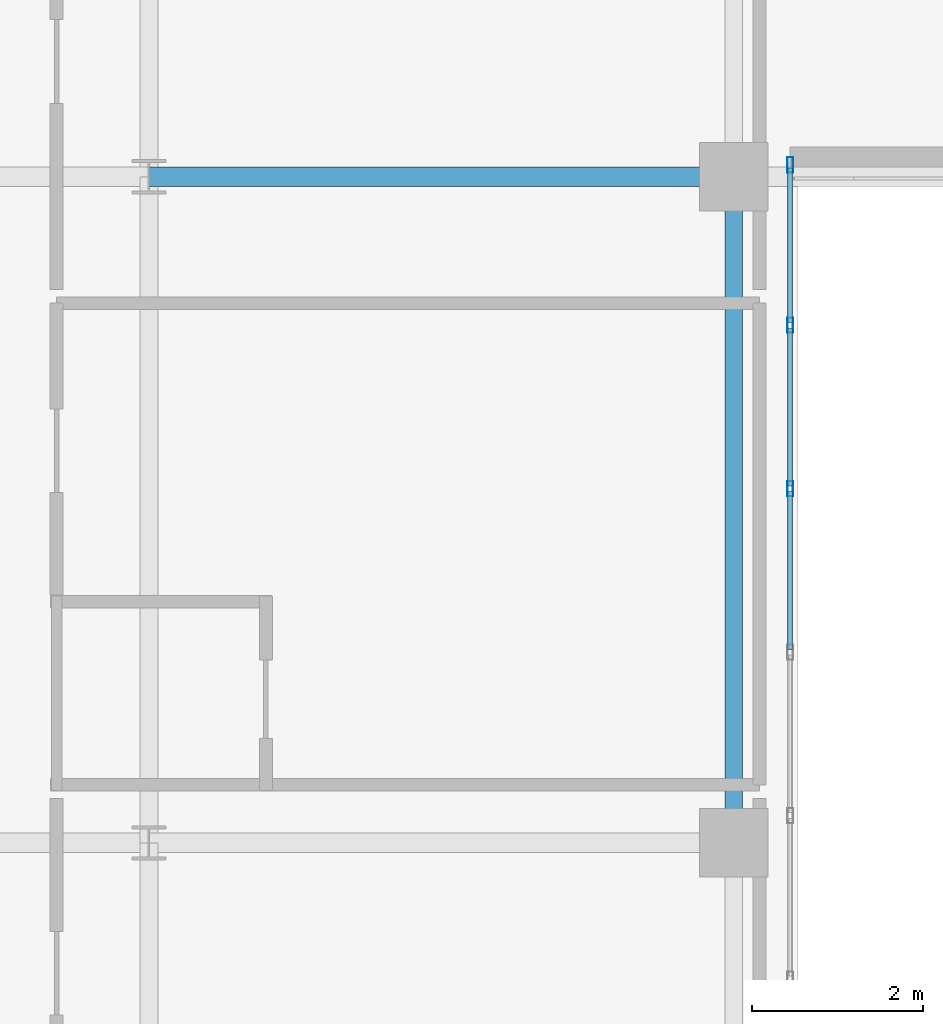
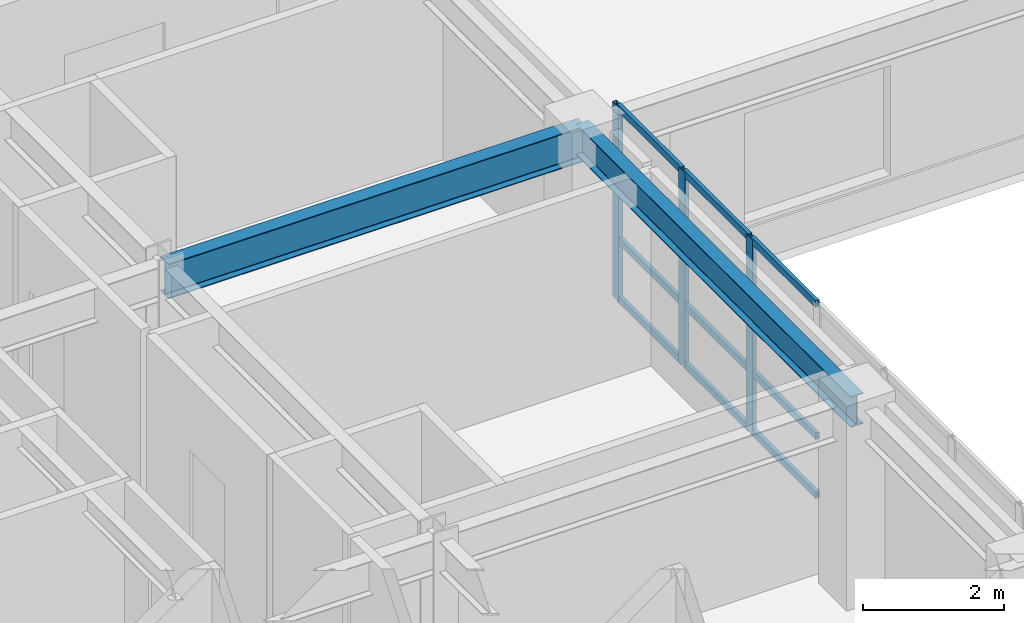
# One storey, part 5 of 20: 12 members, 2 beams, 1 element without a shape of its own.
"""IFC4 building model written with IfcOpenShell, lengths in metres."""

from ifc_helpers import new_model, si_unit, direction, frame, origin, origin_2d, place, context, subcontext, project, spatial, hollow_rectangle, i_section, extrude, source, transform, mapped, material, layer, layer_set, material_profile, profile_set, type_object, type_shapes, element, aggregate, save


model = new_model("IFC4")

# Units and contexts
model_context = context("Model", 3, precision=1e-05, world=origin(), true_north=direction((0.0, 1.0)))
body_context = subcontext(model_context, "Body", "Model", "MODEL_VIEW")
ifc_project = project(units=[si_unit("LENGTHUNIT", "METRE"), si_unit("AREAUNIT", "SQUARE_METRE"), si_unit("VOLUMEUNIT", "CUBIC_METRE"), si_unit("PLANEANGLEUNIT", "RADIAN"), si_unit("MASSUNIT", "GRAM", prefix="KILO")], contexts=[model_context])

# Site, building, storey
site_placement = place(None, origin())
site = spatial("IfcSite", under=ifc_project, at=site_placement, CompositionType="ELEMENT")
building_placement = place(site_placement, origin())
building = spatial("IfcBuilding", under=site, at=building_placement, Name="Tolvann Quenvar Hotel", CompositionType="ELEMENT")
storey_placement = place(building_placement, frame((0.0, 0.0, 191.10009765625)))
storey = spatial("IfcBuildingStorey", under=building, at=storey_placement, Name="L50", CompositionType="ELEMENT", Elevation=191.10009765625)

# Beams
ifc_material_1 = material(Name="Steel Grade 350", Category="steel")
ifc_material_profile_1 = material_profile(ifc_material_1, i_section(OverallWidth=0.208984375, OverallDepth=0.532958984375, WebThickness=0.01025390625, FlangeThickness=0.015625, FilletRadius=0.013916015625, at=origin_2d()), Name="530UB92")
ifc_profile_set_1 = profile_set([ifc_material_profile_1], Name="Steel Grade 350")
beam_type_1 = type_object("IfcBeamType", Name="BM_GIRD_530UB92", PredefinedType="BEAM", material=ifc_profile_set_1)
shared_shape_1 = source(origin(), body_context, "Body", "SweptSolid", [
    extrude(i_section(OverallWidth=0.208984375, OverallDepth=0.532958984375, WebThickness=0.01025390625, FlangeThickness=0.015625, FilletRadius=0.013916015625, at=origin_2d()), origin(), (0.0, 0.0, 1.0), 7.800048828125),
])
type_shapes(beam_type_1, [shared_shape_1])
beam_1_placement = place(storey_placement, frame((22.050048828125, 8.199951171875, 3.103515625), z_axis=(0.0, 1.0, 0.0), x_axis=(-1.0, 0.0, 0.0)))
element("IfcBeam", 1, at=beam_1_placement, inside=storey, type_object=beam_type_1, Name="BM-L50-NS-E3-E4", PredefinedType="BEAM", context=body_context, shape_type="MappedRepresentation", body=[
    mapped(shared_shape_1, transform((0.0, 0.0, 0.0), x_axis=(1.0, 0.0, 0.0), y_axis=(0.0, 1.0, 0.0), z_axis=(0.0, 0.0, 1.0), scale=1.0)),
])
ifc_material_profile_2 = material_profile(ifc_material_1, i_section(OverallWidth=0.22802734375, OverallDepth=0.60205078125, WebThickness=0.010498046875, FlangeThickness=0.014892578125, FilletRadius=0.013916015625, at=origin_2d()), Name="610UB101")
ifc_profile_set_2 = profile_set([ifc_material_profile_2], Name="Steel Grade 350")
beam_type_2 = type_object("IfcBeamType", Name="BM_GIRD_610UB101", PredefinedType="BEAM", material=ifc_profile_set_2)
shared_shape_2 = source(origin(), body_context, "Body", "SweptSolid", [
    extrude(i_section(OverallWidth=0.22802734375, OverallDepth=0.60205078125, WebThickness=0.010498046875, FlangeThickness=0.014892578125, FilletRadius=0.013916015625, at=origin_2d()), origin(), (0.0, 0.0, 1.0), 6.85009765625),
])
type_shapes(beam_type_2, [shared_shape_2])
beam_2_placement = place(storey_placement, frame((15.199951171875, 16.0, 3.06884765625), z_axis=(1.0, 0.0, 0.0), x_axis=(0.0, 1.0, 0.0)))
element("IfcBeam", 2, at=beam_2_placement, inside=storey, type_object=beam_type_2, Name="BM-L50-EW-4-D4-E4", PredefinedType="BEAM", context=body_context, shape_type="MappedRepresentation", body=[
    mapped(shared_shape_2, transform((0.0, 0.0, 0.0), x_axis=(1.0, 0.0, 0.0), y_axis=(0.0, 1.0, 0.0), z_axis=(0.0, 0.0, 1.0), scale=1.0)),
])

# Curtain wall, members
ifc_material_2 = material(Name="Thermally broken anodised architectural aluminium 6063-T6 and laminated low-E glass", Category="aluminium")
ifc_layer = layer(ifc_material_2, 0.179931640625)
ifc_layer_set = layer_set([ifc_layer], Name="Thermally broken anodised architectural aluminium 6063-T6 and laminated low-E glass")
curtain_wall_type = type_object("IfcCurtainWallType", Name="CW_SYS_SLOT_03", PredefinedType="USERDEFINED", material=ifc_layer_set)
curtain_wall_placement = place(storey_placement, origin())
curtain_wall = element("IfcCurtainWall", 3, at=curtain_wall_placement, inside=storey, type_object=curtain_wall_type, Name="Curtain Wall CW-SLOT-03 (CWR-L50-E05)", ObjectType="UNITISED CURTAIN WALL", PredefinedType="USERDEFINED")
ifc_material_3 = material(Name="Anodised architectural aluminium 6063-T6 framing", Category="aluminium")
ifc_material_profile_3 = material_profile(ifc_material_3, hollow_rectangle(XDim=0.070068359375, YDim=0.179931640625, WallThickness=0.00390625, at=origin_2d()), Name="180x70x4RHS")
ifc_profile_set_3 = profile_set([ifc_material_profile_3], Name="Anodised architectural aluminium 6063-T6 framing")
member_type_1 = type_object("IfcMemberType", Name="CW_MULL_180x70", PredefinedType="MULLION", material=ifc_profile_set_3)
shared_shape_3 = source(origin(), body_context, "Body", "SweptSolid", [
    extrude(hollow_rectangle(XDim=0.070068359375, YDim=0.179931640625, WallThickness=0.00390625, at=origin_2d()), origin(), (0.0, 0.0, 1.0), 3.369873046875),
])
type_shapes(member_type_1, [shared_shape_3])
member_1_placement = place(storey_placement, frame((22.7099609375, 12.346435546875, 0.0), z_axis=(0.0, 0.0, 1.0), x_axis=(-1.0, 0.0, 0.0)))
member_1 = element("IfcMember", 4, at=member_1_placement, type_object=member_type_1, Name="CW-SLOT-03 mullion 6", PredefinedType="MULLION", context=body_context, shape_type="MappedRepresentation", body=[
    mapped(shared_shape_3, transform((0.0, 0.0, 0.0), x_axis=(1.0, 0.0, 0.0), y_axis=(0.0, 1.0, 0.0), z_axis=(0.0, 0.0, 1.0), scale=1.0)),
])
member_2_placement = place(storey_placement, frame((22.7099609375, 14.2607421875, 0.0), z_axis=(0.0, 0.0, 1.0), x_axis=(-1.0, 0.0, 0.0)))
member_2 = element("IfcMember", 5, at=member_2_placement, type_object=member_type_1, Name="CW-SLOT-03 mullion 7", PredefinedType="MULLION", context=body_context, shape_type="MappedRepresentation", body=[
    mapped(shared_shape_3, transform((0.0, 0.0, 0.0), x_axis=(1.0, 0.0, 0.0), y_axis=(0.0, 1.0, 0.0), z_axis=(0.0, 0.0, 1.0), scale=1.0)),
])
member_3_placement = place(storey_placement, frame((22.7099609375, 16.139892578125, 0.0), z_axis=(0.0, 0.0, 1.0), x_axis=(-1.0, 0.0, 0.0)))
member_3 = element("IfcMember", 6, at=member_3_placement, type_object=member_type_1, Name="CW-SLOT-03 mullion 8", PredefinedType="MULLION", context=body_context, shape_type="MappedRepresentation", body=[
    mapped(shared_shape_3, transform((0.0, 0.0, 0.0), x_axis=(1.0, 0.0, 0.0), y_axis=(0.0, 1.0, 0.0), z_axis=(0.0, 0.0, 1.0), scale=1.0)),
])
ifc_material_profile_4 = material_profile(ifc_material_3, hollow_rectangle(XDim=0.06005859375, YDim=0.1201171875, WallThickness=0.00341796875, at=origin_2d()), Name="120x60x3.5RHS")
ifc_profile_set_4 = profile_set([ifc_material_profile_4], Name="Anodised architectural aluminium 6063-T6 framing")
member_type_2 = type_object("IfcMemberType", Name="CW_TRAN_120x60", PredefinedType="USERDEFINED", material=ifc_profile_set_4)
shared_shape_4 = source(origin(), body_context, "Body", "SweptSolid", [
    extrude(hollow_rectangle(XDim=0.06005859375, YDim=0.1201171875, WallThickness=0.00341796875, at=origin_2d()), origin(), (0.0, 0.0, 1.0), 1.809326171875),
])
member_4_placement = place(storey_placement, frame((22.7099609375, 14.295654296875, 0.02978515625), z_axis=(0.0, 1.0, 0.0), x_axis=(-1.0, 0.0, 0.0)))
member_4 = element("IfcMember", 7, at=member_4_placement, type_object=member_type_2, Name="CW-SLOT-03 transom 7.1", ObjectType="TRANSOM", PredefinedType="USERDEFINED", context=body_context, shape_type="MappedRepresentation", body=[
    mapped(shared_shape_4, transform((0.0, 0.0, 0.0), x_axis=(1.0, 0.0, 0.0), y_axis=(0.0, 1.0, 0.0), z_axis=(0.0, 0.0, 1.0), scale=1.0)),
])
member_5_placement = place(storey_placement, frame((22.7099609375, 14.295654296875, 1.0498046875), z_axis=(0.0, 1.0, 0.0), x_axis=(-1.0, 0.0, 0.0)))
member_5 = element("IfcMember", 8, at=member_5_placement, type_object=member_type_2, Name="CW-SLOT-03 transom 7.2", ObjectType="TRANSOM", PredefinedType="USERDEFINED", context=body_context, shape_type="MappedRepresentation", body=[
    mapped(shared_shape_4, transform((0.0, 0.0, 0.0), x_axis=(1.0, 0.0, 0.0), y_axis=(0.0, 1.0, 0.0), z_axis=(0.0, 0.0, 1.0), scale=1.0)),
])
member_6_placement = place(storey_placement, frame((22.7099609375, 14.295654296875, 3.33984375), z_axis=(0.0, 1.0, 0.0), x_axis=(-1.0, 0.0, 0.0)))
member_6 = element("IfcMember", 9, at=member_6_placement, type_object=member_type_2, Name="CW-SLOT-03 transom 7.3", ObjectType="TRANSOM", PredefinedType="USERDEFINED", context=body_context, shape_type="MappedRepresentation", body=[
    mapped(shared_shape_4, transform((0.0, 0.0, 0.0), x_axis=(1.0, 0.0, 0.0), y_axis=(0.0, 1.0, 0.0), z_axis=(0.0, 0.0, 1.0), scale=1.0)),
])
shared_shape_5 = source(origin(), body_context, "Body", "SweptSolid", [
    extrude(hollow_rectangle(XDim=0.06005859375, YDim=0.1201171875, WallThickness=0.00341796875, at=origin_2d()), origin(), (0.0, 0.0, 1.0), 1.844482421875),
])
type_shapes(member_type_2, [shared_shape_4, shared_shape_5])
member_7_placement = place(storey_placement, frame((22.7099609375, 10.467041015625, 0.02978515625), z_axis=(0.0, 1.0, 0.0), x_axis=(-1.0, 0.0, 0.0)))
member_7 = element("IfcMember", 10, at=member_7_placement, type_object=member_type_2, Name="CW-SLOT-03 transom 5.1", ObjectType="TRANSOM", PredefinedType="USERDEFINED", context=body_context, shape_type="MappedRepresentation", body=[
    mapped(shared_shape_5, transform((0.0, 0.0, 0.0), x_axis=(1.0, 0.0, 0.0), y_axis=(0.0, 1.0, 0.0), z_axis=(0.0, 0.0, 1.0), scale=1.0)),
])
member_8_placement = place(storey_placement, frame((22.7099609375, 10.467041015625, 1.0498046875), z_axis=(0.0, 1.0, 0.0), x_axis=(-1.0, 0.0, 0.0)))
member_8 = element("IfcMember", 11, at=member_8_placement, type_object=member_type_2, Name="CW-SLOT-03 transom 5.2", ObjectType="TRANSOM", PredefinedType="USERDEFINED", context=body_context, shape_type="MappedRepresentation", body=[
    mapped(shared_shape_5, transform((0.0, 0.0, 0.0), x_axis=(1.0, 0.0, 0.0), y_axis=(0.0, 1.0, 0.0), z_axis=(0.0, 0.0, 1.0), scale=1.0)),
])
member_9_placement = place(storey_placement, frame((22.7099609375, 10.467041015625, 3.33984375), z_axis=(0.0, 1.0, 0.0), x_axis=(-1.0, 0.0, 0.0)))
member_9 = element("IfcMember", 12, at=member_9_placement, type_object=member_type_2, Name="CW-SLOT-03 transom 5.3", ObjectType="TRANSOM", PredefinedType="USERDEFINED", context=body_context, shape_type="MappedRepresentation", body=[
    mapped(shared_shape_5, transform((0.0, 0.0, 0.0), x_axis=(1.0, 0.0, 0.0), y_axis=(0.0, 1.0, 0.0), z_axis=(0.0, 0.0, 1.0), scale=1.0)),
])
member_10_placement = place(storey_placement, frame((22.7099609375, 12.38134765625, 0.02978515625), z_axis=(0.0, 1.0, 0.0), x_axis=(-1.0, 0.0, 0.0)))
member_10 = element("IfcMember", 13, at=member_10_placement, type_object=member_type_2, Name="CW-SLOT-03 transom 6.1", ObjectType="TRANSOM", PredefinedType="USERDEFINED", context=body_context, shape_type="MappedRepresentation", body=[
    mapped(shared_shape_5, transform((0.0, 0.0, 0.0), x_axis=(1.0, 0.0, 0.0), y_axis=(0.0, 1.0, 0.0), z_axis=(0.0, 0.0, 1.0), scale=1.0)),
])
member_11_placement = place(storey_placement, frame((22.7099609375, 12.38134765625, 1.0498046875), z_axis=(0.0, 1.0, 0.0), x_axis=(-1.0, 0.0, 0.0)))
member_11 = element("IfcMember", 14, at=member_11_placement, type_object=member_type_2, Name="CW-SLOT-03 transom 6.2", ObjectType="TRANSOM", PredefinedType="USERDEFINED", context=body_context, shape_type="MappedRepresentation", body=[
    mapped(shared_shape_5, transform((0.0, 0.0, 0.0), x_axis=(1.0, 0.0, 0.0), y_axis=(0.0, 1.0, 0.0), z_axis=(0.0, 0.0, 1.0), scale=1.0)),
])
member_12_placement = place(storey_placement, frame((22.7099609375, 12.38134765625, 3.33984375), z_axis=(0.0, 1.0, 0.0), x_axis=(-1.0, 0.0, 0.0)))
member_12 = element("IfcMember", 15, at=member_12_placement, type_object=member_type_2, Name="CW-SLOT-03 transom 6.3", ObjectType="TRANSOM", PredefinedType="USERDEFINED", context=body_context, shape_type="MappedRepresentation", body=[
    mapped(shared_shape_5, transform((0.0, 0.0, 0.0), x_axis=(1.0, 0.0, 0.0), y_axis=(0.0, 1.0, 0.0), z_axis=(0.0, 0.0, 1.0), scale=1.0)),
])
aggregate(curtain_wall, [member_1, member_2, member_3, member_7, member_8, member_9, member_10, member_11, member_12, member_4, member_5, member_6])

save(model, "model.ifc")
